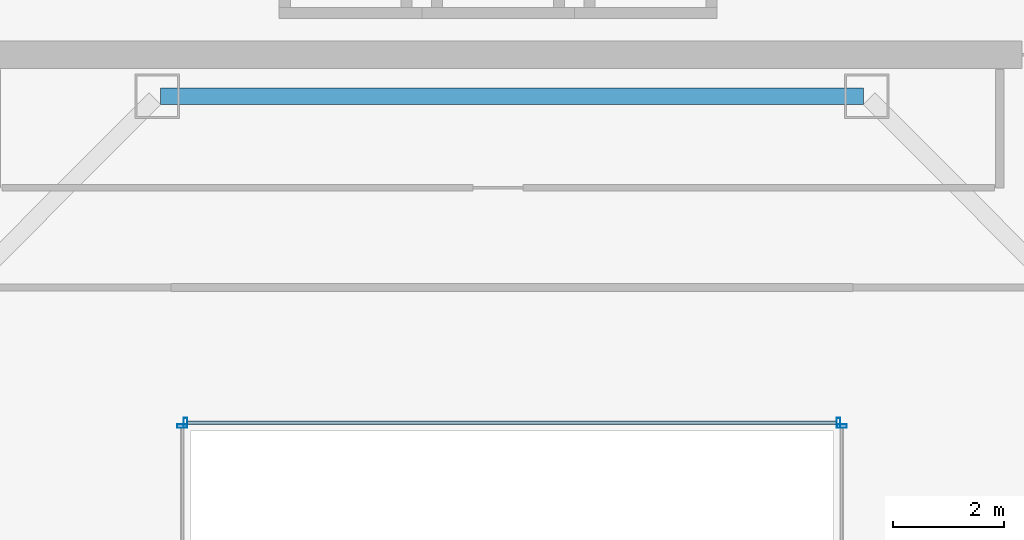
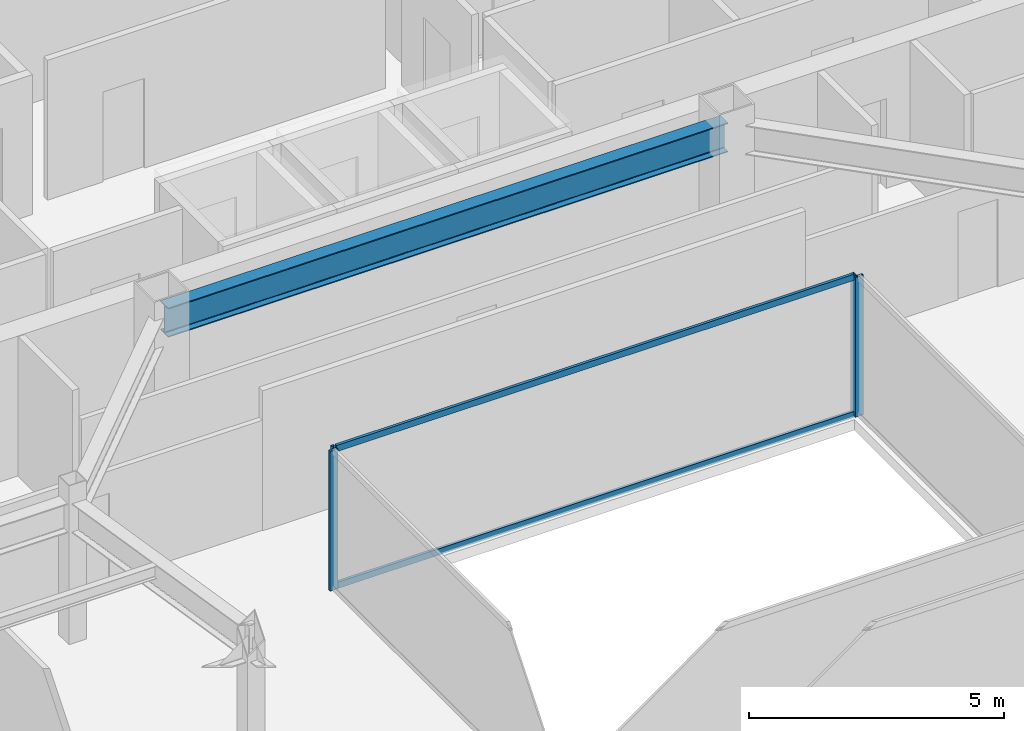
# One storey, part 13 of 34: 6 members, 1 beam, 3 elements without a shape of their own.
"""IFC4 building model written with IfcOpenShell, lengths in metres."""

import ifcopenshell
import ifcopenshell.guid

model = None  # the IFC model being written
_history = None  # IfcOwnerHistory: only IFC2X3 demands one
_inside = {}  # id of a spatial element -> (the spatial element, [elements in it])
_under = {}  # id of a project, library or spatial element -> (it, [spatial elements below it])
_declared = {}  # id of a project -> (the project, [libraries it declares])
_typed = {}  # id of a type object -> (the type object, [elements of that type])
_made_of = {}  # id of a material, layer set ... -> (it, [elements and type objects made of it])


def new_model(schema):
    """Start an empty IFC model of exactly this schema.

    Asked for "IFC4X3", IfcOpenShell would pick the latest addendum, in which some entities
    have other attributes; the version numbers below select the first issue.
    IFC2X3 requires an IfcOwnerHistory on every rooted entity: one is made here for all.
    """
    global model, _history
    if schema == "IFC4X3":
        model = ifcopenshell.file(schema_version=(4, 3, 0, 0))
    else:
        model = ifcopenshell.file(schema=schema)
    _inside.clear()
    _under.clear()
    _declared.clear()
    _typed.clear()
    _made_of.clear()
    _history = None
    if model.schema == "IFC2X3":
        org = make("IfcOrganization", Name="unknown")
        user = make(
            "IfcPersonAndOrganization",
            ThePerson=make("IfcPerson", FamilyName="unknown"),
            TheOrganization=org,
        )
        app = make(
            "IfcApplication",
            ApplicationDeveloper=org,
            Version="unknown",
            ApplicationFullName="unknown",
            ApplicationIdentifier="unknown",
        )
        _history = make(
            "IfcOwnerHistory",
            OwningUser=user,
            OwningApplication=app,
            ChangeAction="ADDED",
            CreationDate=0,
        )
    return model


def make(cls, **values):
    """One entity of the class cls with the attributes given. An attribute that is None is left unset."""
    return model.create_entity(
        cls, **{name: value for name, value in values.items() if value is not None}
    )


def rooted(cls, **values):
    """An entity with a GlobalId (a new one), such as an element, a storey or a relation."""
    return make(cls, GlobalId=ifcopenshell.guid.new(), OwnerHistory=_history, **values)


def si_unit(unit_type, name, prefix=None):
    """IfcSIUnit, for example si_unit("LENGTHUNIT", "METRE", prefix="MILLI")."""
    return make("IfcSIUnit", UnitType=unit_type, Prefix=prefix, Name=name)


def assignment(units):
    """IfcUnitAssignment: the units of a project."""
    return None if units is None else make("IfcUnitAssignment", Units=units)


def point(xyz):
    """IfcCartesianPoint."""
    return None if xyz is None else make("IfcCartesianPoint", Coordinates=xyz)


def direction(xyz):
    """IfcDirection."""
    return None if xyz is None else make("IfcDirection", DirectionRatios=xyz)


def frame(location, z_axis=None, x_axis=None):
    """IfcAxis2Placement3D, a coordinate frame: its origin and axes. An axis left out is left unset."""
    return make(
        "IfcAxis2Placement3D",
        Location=point(location),
        Axis=direction(z_axis),
        RefDirection=direction(x_axis),
    )


def frame_2d(location, x_axis=None):
    """IfcAxis2Placement2D, a coordinate frame in the plane: its origin and x axis."""
    return make(
        "IfcAxis2Placement2D", Location=point(location), RefDirection=direction(x_axis)
    )


def origin():
    """The frame at (0, 0, 0) with its axes left unset."""
    return frame((0.0, 0.0, 0.0))


def origin_2d():
    """The frame at (0, 0) in the plane with its x axis left unset."""
    return frame_2d((0.0, 0.0))


def place(relative_to, where):
    """IfcLocalPlacement: puts the frame where relative to a parent placement (None: the world)."""
    return make(
        "IfcLocalPlacement", PlacementRelTo=relative_to, RelativePlacement=where
    )


def context(
    kind, dimensions, precision=None, world=None, true_north=None, identifier=None
):
    """IfcGeometricRepresentationContext, for example the 3D "Model" context."""
    return make(
        "IfcGeometricRepresentationContext",
        ContextIdentifier=identifier,
        ContextType=kind,
        CoordinateSpaceDimension=dimensions,
        Precision=precision,
        WorldCoordinateSystem=world,
        TrueNorth=true_north,
    )


def subcontext(parent, identifier, kind, view, scale=None):
    """IfcGeometricRepresentationSubContext, for example "Body" below "Model"."""
    return make(
        "IfcGeometricRepresentationSubContext",
        ContextIdentifier=identifier,
        ContextType=kind,
        ParentContext=parent,
        TargetScale=scale,
        TargetView=view,
    )


def project(units=None, contexts=None):
    """IfcProject with its units and contexts."""
    return rooted(
        "IfcProject",
        Name="project",
        RepresentationContexts=contexts,
        UnitsInContext=assignment(units),
    )


def spatial(cls, under=None, at=None, **own):
    """A site, building, storey or space (cls), placed at a placement, below another one or the project."""
    s = rooted(cls, ObjectPlacement=at, **own)
    if under is not None:
        _under.setdefault(under.id(), (under, []))[1].append(s)
    return s


def profile(cls, at=None, kind="AREA", **sizes):
    """A parametric profile (cls). Its sizes go by their IFC names, for example OverallWidth=200.0."""
    return make(cls, ProfileType=kind, Position=at, **sizes)


def hollow_rectangle(**sizes):
    """IfcRectangleHollowProfileDef."""
    return profile("IfcRectangleHollowProfileDef", **sizes)


def i_section(**sizes):
    """IfcIShapeProfileDef."""
    return profile("IfcIShapeProfileDef", **sizes)


def extrude(swept, where, along, depth):
    """IfcExtrudedAreaSolid: the profile swept, set in the frame where, extruded along a direction by depth."""
    return make(
        "IfcExtrudedAreaSolid",
        SweptArea=swept,
        Position=where,
        ExtrudedDirection=direction(along),
        Depth=depth,
    )


def shape(context_of_items, identifier, shape_type, items):
    """IfcShapeRepresentation: the items that make up one representation, for example the "Body"."""
    return make(
        "IfcShapeRepresentation",
        ContextOfItems=context_of_items,
        RepresentationIdentifier=identifier,
        RepresentationType=shape_type,
        Items=items,
    )


def material(Name=None, Category=None):
    """IfcMaterial."""
    return make("IfcMaterial", Name=Name, Category=Category)


def material_profile(
    of_material, cross_section, Name=None, Category=None, Priority=None
):
    """IfcMaterialProfile: a cross section and its material."""
    return make(
        "IfcMaterialProfile",
        Name=Name,
        Material=of_material,
        Profile=cross_section,
        Priority=Priority,
        Category=Category,
    )


def profile_set(profiles, Name=None, composite=None):
    """IfcMaterialProfileSet."""
    return make(
        "IfcMaterialProfileSet",
        Name=Name,
        MaterialProfiles=profiles,
        CompositeProfile=composite,
    )


def made_of(thing, what):
    """Note that an element or type object is made of a material, layer set ...; save() writes the relation."""
    if what is not None:
        _made_of.setdefault(what.id(), (what, []))[1].append(thing)
    return thing


def type_object(cls, material=None, **own):
    """A type object (cls), such as IfcWallType, which elements share."""
    return made_of(rooted(cls, **own), material)


def element(
    cls,
    number,
    at=None,
    inside=None,
    cuts=None,
    type_object=None,
    material=None,
    context=None,
    identifier="Body",
    shape_type=None,
    held_by="IfcProductDefinitionShape",
    body=None,
    shapes=None,
    **own,
):
    """One element of the class cls, such as IfcWall. Its Tag is "e" and its number.

    at: its placement. inside: the storey or other place that contains it. cuts: it is an
    opening in that element (IfcRelVoidsElement). A single representation is given by context,
    identifier, shape_type and body (its items); several are given by shapes. held_by: the class
    of the entity that holds the representations. save() writes the other relations.
    """
    e = rooted(cls, Tag="e%d" % number, ObjectPlacement=at, **own)
    if body is not None:
        shapes = [shape(context, identifier, shape_type, body)]
    if shapes is not None:
        e.Representation = make(held_by, Representations=shapes)
    if inside is not None:
        _inside.setdefault(inside.id(), (inside, []))[1].append(e)
    if cuts is not None:
        rooted(
            "IfcRelVoidsElement", RelatingBuildingElement=cuts, RelatedOpeningElement=e
        )
    if type_object is not None:
        _typed.setdefault(type_object.id(), (type_object, []))[1].append(e)
    return made_of(e, material)


def aggregate(whole, parts):
    """IfcRelAggregates: a whole, such as a stair, and the parts it consists of."""
    return rooted("IfcRelAggregates", RelatingObject=whole, RelatedObjects=parts)


def save(model, path):
    """Write the relations noted so far, then the file.

    IfcRelAggregates (storeys below a building ...), IfcRelContainedInSpatialStructure (elements
    in a storey), IfcRelDefinesByType, IfcRelAssociatesMaterial and IfcRelDeclares: one each for
    every whole, place, type object, material and project.
    """
    for whole, parts in _under.values():
        aggregate(whole, parts)
    for where, things in _inside.values():
        rooted(
            "IfcRelContainedInSpatialStructure",
            RelatedElements=things,
            RelatingStructure=where,
        )
    for kind, things in _typed.values():
        rooted("IfcRelDefinesByType", RelatedObjects=things, RelatingType=kind)
    for what, things in _made_of.values():
        rooted("IfcRelAssociatesMaterial", RelatedObjects=things, RelatingMaterial=what)
    for by, libraries in _declared.values():
        rooted("IfcRelDeclares", RelatingContext=by, RelatedDefinitions=libraries)
    model.write(path)


model = new_model("IFC4")

# Units and contexts
model_context = context("Model", 3, precision=1e-05, world=origin(), true_north=direction((0.0, 1.0)))
body_context = subcontext(model_context, "Body", "Model", "MODEL_VIEW")
ifc_project = project(units=[si_unit("LENGTHUNIT", "METRE"), si_unit("AREAUNIT", "SQUARE_METRE"), si_unit("VOLUMEUNIT", "CUBIC_METRE"), si_unit("PLANEANGLEUNIT", "RADIAN"), si_unit("MASSUNIT", "GRAM", prefix="KILO")], contexts=[model_context])

# Site, building, storey
site_placement = place(None, origin())
site = spatial("IfcSite", under=ifc_project, at=site_placement, CompositionType="ELEMENT")
building_placement = place(site_placement, origin())
building = spatial("IfcBuilding", under=site, at=building_placement, Name="Saevonmaru Cultural Tower", CompositionType="ELEMENT")
storey_placement = place(building_placement, frame((0.0, 0.0, 220.800048828125)))
storey = spatial("IfcBuildingStorey", under=building, at=storey_placement, Name="L51", CompositionType="ELEMENT", Elevation=220.800048828125)

# Beam
ifc_material_1 = material(Name="Steel SM355", Category="steel")
ifc_material_profile_1 = material_profile(ifc_material_1, i_section(OverallWidth=0.300048828125, OverallDepth=0.699951171875, WebThickness=0.012939453125, FlangeThickness=0.02392578125, FilletRadius=0.02587890625, at=origin_2d()), Name="H-700x300x13x24")
ifc_profile_set_1 = profile_set([ifc_material_profile_1], Name="Steel SM355")
beam_type = type_object("IfcBeamType", Name="BM-G-H700", PredefinedType="BEAM", material=ifc_profile_set_1)
beam_placement = place(storey_placement, frame((23.659912109375, 42.39990234375, 3.0), z_axis=(1.0, 0.0, 0.0), x_axis=(0.0, 1.0, 0.0)))
element("IfcBeam", 1, at=beam_placement, inside=storey, type_object=beam_type, Name="L51 Core South Girder 3", PredefinedType="BEAM", context=body_context, shape_type="SweptSolid", body=[
    extrude(i_section(OverallWidth=0.300048828125, OverallDepth=0.699951171875, WebThickness=0.012939453125, FlangeThickness=0.02392578125, FilletRadius=0.02587890625, at=origin_2d()), origin(), (0.0, 0.0, 1.0), 12.68017578125),
])

# Curtain wall, member
ifc_material_2 = material(Name="Satin Bronze Anodised Aluminium", Category="aluminium")
curtain_wall_type = type_object("IfcCurtainWallType", Name="CW-ATR-GLZ", PredefinedType="NOTDEFINED", material=ifc_material_2)
curtain_wall_1_placement = place(storey_placement, origin())
curtain_wall_1 = element("IfcCurtainWall", 2, at=curtain_wall_1_placement, inside=storey, type_object=curtain_wall_type, Name="L51 Vertical Atrium Glazed Smoke Screen 2", PredefinedType="NOTDEFINED")
ifc_material_profile_2 = material_profile(ifc_material_2, hollow_rectangle(XDim=0.06494140625, YDim=0.179931640625, WallThickness=0.00390625, at=origin_2d()), Name="ALU-MULL-180x65x4")
ifc_profile_set_2 = profile_set([ifc_material_profile_2], Name="Satin Bronze Anodised Aluminium")
member_type_1 = type_object("IfcMemberType", Name="ML-CW-INT-180x65", PredefinedType="MULLION", material=ifc_profile_set_2)
member_1_placement = place(storey_placement, frame((35.949951171875, 36.449951171875, 0.0), z_axis=(0.0, 0.0, 1.0), x_axis=(0.0, 1.0, 0.0)))
member_1 = element("IfcMember", 3, at=member_1_placement, type_object=member_type_1, Name="CW-ATR-L51-2 mullion 2", PredefinedType="MULLION", context=body_context, shape_type="SweptSolid", body=[
    extrude(hollow_rectangle(XDim=0.06494140625, YDim=0.179931640625, WallThickness=0.00390625, at=origin_2d()), origin(), (0.0, 0.0, 1.0), 3.349853515625),
])
aggregate(curtain_wall_1, [member_1])

# Curtain wall, members
curtain_wall_2_placement = place(storey_placement, origin())
curtain_wall_2 = element("IfcCurtainWall", 4, at=curtain_wall_2_placement, inside=storey, type_object=curtain_wall_type, Name="L51 Vertical Atrium Glazed Smoke Screen 3", PredefinedType="NOTDEFINED")
member_2_placement = place(storey_placement, frame((35.889892578125, 36.510009765625, 0.0), z_axis=(0.0, 0.0, 1.0), x_axis=(-1.0, 0.0, 0.0)))
member_2 = element("IfcMember", 5, at=member_2_placement, type_object=member_type_1, Name="CW-ATR-L51-3 mullion 1", PredefinedType="MULLION", context=body_context, shape_type="SweptSolid", body=[
    extrude(hollow_rectangle(XDim=0.06494140625, YDim=0.179931640625, WallThickness=0.00390625, at=origin_2d()), origin(), (0.0, 0.0, 1.0), 3.349853515625),
])
member_3_placement = place(storey_placement, frame((24.110107421875, 36.510009765625, 0.0), z_axis=(0.0, 0.0, 1.0), x_axis=(-1.0, 0.0, 0.0)))
member_3 = element("IfcMember", 6, at=member_3_placement, type_object=member_type_1, Name="CW-ATR-L51-3 mullion 2", PredefinedType="MULLION", context=body_context, shape_type="SweptSolid", body=[
    extrude(hollow_rectangle(XDim=0.06494140625, YDim=0.179931640625, WallThickness=0.00390625, at=origin_2d()), origin(), (0.0, 0.0, 1.0), 3.349853515625),
])

# Curtain wall, member
curtain_wall_3_placement = place(storey_placement, origin())
curtain_wall_3 = element("IfcCurtainWall", 7, at=curtain_wall_3_placement, inside=storey, type_object=curtain_wall_type, Name="L51 Vertical Atrium Glazed Smoke Screen 4", PredefinedType="NOTDEFINED")
member_4_placement = place(storey_placement, frame((24.050048828125, 36.449951171875, 0.0), z_axis=(0.0, 0.0, 1.0), x_axis=(0.0, -1.0, 0.0)))
member_4 = element("IfcMember", 8, at=member_4_placement, type_object=member_type_1, Name="CW-ATR-L51-4 mullion 1", PredefinedType="MULLION", context=body_context, shape_type="SweptSolid", body=[
    extrude(hollow_rectangle(XDim=0.06494140625, YDim=0.179931640625, WallThickness=0.00390625, at=origin_2d()), origin(), (0.0, 0.0, 1.0), 3.349853515625),
])
aggregate(curtain_wall_3, [member_4])

# Member
ifc_material_profile_3 = material_profile(ifc_material_2, hollow_rectangle(XDim=0.06494140625, YDim=0.14990234375, WallThickness=0.00390625, at=origin_2d()), Name="ALU-TRAN-150x65x4")
ifc_profile_set_3 = profile_set([ifc_material_profile_3], Name="Satin Bronze Anodised Aluminium")
member_type_2 = type_object("IfcMemberType", Name="TR-CW-INT-150x65", PredefinedType="USERDEFINED", material=ifc_profile_set_3)
member_5_placement = place(storey_placement, frame((35.857421875, 36.510009765625, 0.032470703125), z_axis=(-1.0, 0.0, 0.0), x_axis=(0.0, -1.0, 0.0)))
member_5 = element("IfcMember", 9, at=member_5_placement, type_object=member_type_2, Name="CW-ATR-L51-3 transom 1.1", ObjectType="TRANSOM", PredefinedType="USERDEFINED", context=body_context, shape_type="SweptSolid", body=[
    extrude(hollow_rectangle(XDim=0.06494140625, YDim=0.14990234375, WallThickness=0.00390625, at=origin_2d()), origin(), (0.0, 0.0, 1.0), 11.71484375),
])

member_6_placement = place(storey_placement, frame((35.857421875, 36.510009765625, 3.3173828125), z_axis=(-1.0, 0.0, 0.0), x_axis=(0.0, -1.0, 0.0)))
member_6 = element("IfcMember", 10, at=member_6_placement, type_object=member_type_2, Name="CW-ATR-L51-3 transom 1.2", ObjectType="TRANSOM", PredefinedType="USERDEFINED", context=body_context, shape_type="SweptSolid", body=[
    extrude(hollow_rectangle(XDim=0.06494140625, YDim=0.14990234375, WallThickness=0.00390625, at=origin_2d()), origin(), (0.0, 0.0, 1.0), 11.71484375),
])

aggregate(curtain_wall_2, [member_2, member_3, member_5, member_6])

save(model, "model.ifc")
